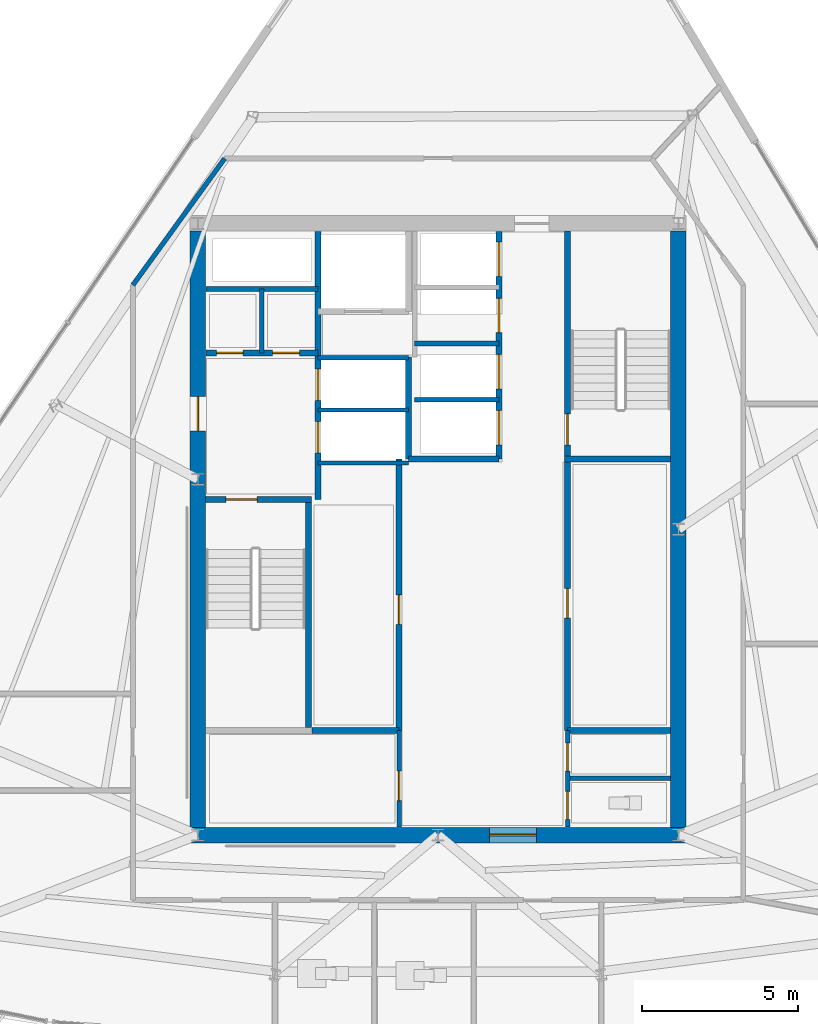
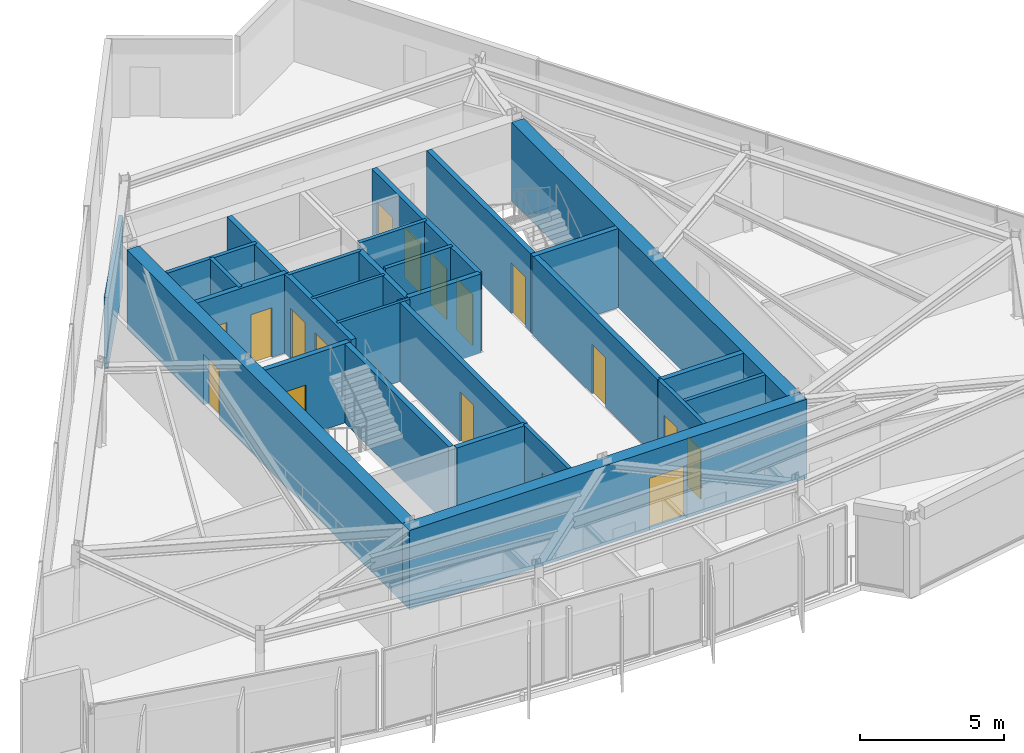
# One storey, part 7 of 13: 27 walls, 17 doors, 17 openings.
"""IFC4 building model written with IfcOpenShell, lengths in metres."""

from ifc_helpers import new_model, si_unit, direction, frame, frame_2d, origin, place, context, subcontext, project, spatial, rectangle, extrude, material, layer, layer_set, type_object, element, fill, save


model = new_model("IFC4")

# Units and contexts
model_context = context("Model", 3, precision=1e-05, world=origin(), true_north=direction((0.0, 1.0)))
body_context = subcontext(model_context, "Body", "Model", "MODEL_VIEW")
ifc_project = project(units=[si_unit("LENGTHUNIT", "METRE"), si_unit("AREAUNIT", "SQUARE_METRE"), si_unit("VOLUMEUNIT", "CUBIC_METRE"), si_unit("PLANEANGLEUNIT", "RADIAN"), si_unit("MASSUNIT", "GRAM", prefix="KILO")], contexts=[model_context])

# Site, building, storey
site_placement = place(None, origin())
site = spatial("IfcSite", under=ifc_project, at=site_placement, CompositionType="ELEMENT")
building_placement = place(site_placement, origin())
building = spatial("IfcBuilding", under=site, at=building_placement, Name="Savorim Split Tower", CompositionType="ELEMENT")
storey_placement = place(building_placement, frame((0.0, 0.0, 265.199951171875)))
storey = spatial("IfcBuildingStorey", under=building, at=storey_placement, Name="L70", CompositionType="ELEMENT", Elevation=265.199951171875)

# Wall, opening, door
ifc_material_1 = material(Name="Concrete C60/75", Category="concrete")
ifc_layer_1 = layer(ifc_material_1, 0.5)
ifc_layer_set_1 = layer_set([ifc_layer_1], Name="WAL-COR-SH500")
wall_type_1 = type_object("IfcWallType", Name="WAL-COR-SH500", PredefinedType="SHEAR", material=ifc_layer_set_1)
wall_1_placement = place(storey_placement, frame((-7.949951171875, -9.39990234375, 0.0), z_axis=(0.0, 0.0, 1.0), x_axis=(1.0, 0.0, 0.0)))
wall_1 = element("IfcWall", 1, at=wall_1_placement, inside=storey, type_object=wall_type_1, Name="L70 Offset Core South Shear Wall", PredefinedType="SHEAR", context=body_context, shape_type="SweptSolid", body=[
    extrude(rectangle(XDim=15.89990234375, YDim=0.5, at=frame_2d((7.949951171875, 0.0))), origin(), (0.0, 0.0, 1.0), 3.35009765625),
])
opening_1_placement = place(wall_1_placement, frame((9.60009765625, 0.0, 0.0)))
opening_1 = element("IfcOpeningElement", 2, at=opening_1_placement, cuts=wall_1, Name="Opening DI-02", PredefinedType="OPENING", context=body_context, shape_type="SweptSolid", body=[
    extrude(rectangle(XDim=1.5, YDim=2.199951171875, at=frame_2d((0.75, 1.10009765625))), frame((0.0, 0.260009765625, 0.0), z_axis=(0.0, -1.0, 0.0), x_axis=(1.0, 0.0, 0.0)), (0.0, 0.0, 1.0), 0.52001953125),
])
ifc_material_2 = material(Name="Timber Fire Door Leaf", Category="wood")
door_type_1 = type_object("IfcDoorType", Name="DOR-DBL-1500", OperationType="NOTDEFINED", PredefinedType="DOOR", material=ifc_material_2)
door_1_placement = place(opening_1_placement, origin())
door_1 = element("IfcDoor", 3, at=door_1_placement, inside=storey, type_object=door_type_1, Name="DOR-L70-COR-LLOB - L70 Lift Lobby Main Rated Door", OperationType="DOUBLE_DOOR_SINGLE_SWING", OverallHeight=2.199951171875, OverallWidth=1.5, PredefinedType="DOOR", context=body_context, shape_type="SweptSolid", body=[
    extrude(rectangle(XDim=1.5, YDim=2.199951171875, at=frame_2d((0.75, 1.10009765625))), frame((0.0, 0.02490234375, 0.0), z_axis=(0.0, -1.0, 0.0), x_axis=(1.0, 0.0, 0.0)), (0.0, 0.0, 1.0), 0.050048828125),
])
fill(opening_1, door_1)

wall_2_placement = place(storey_placement, frame((-7.699951171875, -9.14990234375, 0.0), z_axis=(0.0, 0.0, 1.0), x_axis=(0.0, 1.0, 0.0)))
wall_2 = element("IfcWall", 4, at=wall_2_placement, inside=storey, type_object=wall_type_1, Name="L70 Offset Core West Shear Wall", PredefinedType="SHEAR", context=body_context, shape_type="SweptSolid", body=[
    extrude(rectangle(XDim=19.099853515625, YDim=0.5, at=frame_2d((9.5498046875, 0.0))), origin(), (0.0, 0.0, 1.0), 3.35009765625),
])
opening_2_placement = place(wall_2_placement, frame((12.699951171875, 0.0, 0.0)))
opening_2 = element("IfcOpeningElement", 5, at=opening_2_placement, cuts=wall_2, Name="Opening DI-03", PredefinedType="OPENING", context=body_context, shape_type="SweptSolid", body=[
    extrude(rectangle(XDim=1.10009765625, YDim=2.14990234375, at=frame_2d((0.550048828125, 1.074951171875))), frame((0.0, 0.260009765625, 0.0), z_axis=(0.0, -1.0, 0.0), x_axis=(1.0, 0.0, 0.0)), (0.0, 0.0, 1.0), 0.52001953125),
])
door_type_2 = type_object("IfcDoorType", Name="DOR-FIR-1100", OperationType="NOTDEFINED", PredefinedType="DOOR", material=ifc_material_2)
door_2_placement = place(opening_2_placement, origin())
door_2 = element("IfcDoor", 6, at=door_2_placement, inside=storey, type_object=door_type_2, Name="DOR-L70-COR-FFLOB - L70 Firefighting Lobby Corridor Door", OperationType="SINGLE_SWING_RIGHT", OverallHeight=2.14990234375, OverallWidth=1.10009765625, PredefinedType="DOOR", context=body_context, shape_type="SweptSolid", body=[
    extrude(rectangle(XDim=1.10009765625, YDim=2.14990234375, at=frame_2d((0.550048828125, 1.074951171875))), frame((0.0, 0.02490234375, 0.0), z_axis=(0.0, -1.0, 0.0), x_axis=(1.0, 0.0, 0.0)), (0.0, 0.0, 1.0), 0.050048828125),
])
fill(opening_2, door_2)

# Wall
wall_3_placement = place(storey_placement, frame((7.699951171875, 9.949951171875, 0.0), z_axis=(0.0, 0.0, 1.0), x_axis=(0.0, -1.0, 0.0)))
element("IfcWall", 7, at=wall_3_placement, inside=storey, type_object=wall_type_1, Name="L70 Offset Core East Shear Wall", PredefinedType="SHEAR", context=body_context, shape_type="SweptSolid", body=[
    extrude(rectangle(XDim=19.099853515625, YDim=0.5, at=frame_2d((9.5498046875, 0.0))), origin(), (0.0, 0.0, 1.0), 3.35009765625),
])

# Wall, opening, door
ifc_material_3 = material(Name="Concrete C50/60", Category="concrete")
ifc_layer_2 = layer(ifc_material_3, 0.199951171875)
ifc_layer_set_2 = layer_set([ifc_layer_2], Name="WAL-INT-RC200")
wall_type_2 = type_object("IfcWallType", Name="WAL-INT-RC200", PredefinedType="SOLIDWALL", material=ifc_layer_set_2)
wall_4_placement = place(storey_placement, frame((-7.449951171875, 1.35009765625, 0.0), z_axis=(0.0, 0.0, 1.0), x_axis=(1.0, 0.0, 0.0)))
wall_4 = element("IfcWall", 8, at=wall_4_placement, inside=storey, type_object=wall_type_2, Name="L70 Structural Shaft Wall W-L70-CR01", PredefinedType="SOLIDWALL", context=body_context, shape_type="SweptSolid", body=[
    extrude(rectangle(XDim=3.39990234375, YDim=0.199951171875, at=frame_2d((1.699951171875, 0.0))), origin(), (0.0, 0.0, 1.0), 3.35009765625),
])
opening_3_placement = place(wall_4_placement, frame((0.64990234375, 0.0, 0.0)))
opening_3 = element("IfcOpeningElement", 9, at=opening_3_placement, cuts=wall_4, Name="Opening DI-04", PredefinedType="OPENING", context=body_context, shape_type="SweptSolid", body=[
    extrude(rectangle(XDim=1.0, YDim=2.14990234375, at=frame_2d((0.5, 1.074951171875))), frame((0.0, 0.10986328125, 0.0), z_axis=(0.0, -1.0, 0.0), x_axis=(1.0, 0.0, 0.0)), (0.0, 0.0, 1.0), 0.219970703125),
])
door_type_3 = type_object("IfcDoorType", Name="DOR-FIR-1000", OperationType="NOTDEFINED", PredefinedType="DOOR", material=ifc_material_2)
door_3_placement = place(opening_3_placement, origin())
door_3 = element("IfcDoor", 10, at=door_3_placement, inside=storey, type_object=door_type_3, Name="DR-L70-ST1 - L70 Stair ST-1 Enclosure Door", OperationType="SINGLE_SWING_LEFT", OverallHeight=2.14990234375, OverallWidth=1.0, PredefinedType="DOOR", context=body_context, shape_type="SweptSolid", body=[
    extrude(rectangle(XDim=1.0, YDim=2.14990234375, at=frame_2d((0.5, 1.074951171875))), frame((0.0, 0.02490234375, 0.0), z_axis=(0.0, -1.0, 0.0), x_axis=(1.0, 0.0, 0.0)), (0.0, 0.0, 1.0), 0.050048828125),
])
fill(opening_3, door_3)

# Wall
wall_5_placement = place(storey_placement, frame((-4.14990234375, -5.949951171875, 0.0), z_axis=(0.0, 0.0, 1.0), x_axis=(0.0, 1.0, 0.0)))
element("IfcWall", 11, at=wall_5_placement, inside=storey, type_object=wall_type_2, Name="L70 Structural Shaft Wall W-L70-CR02", PredefinedType="SOLIDWALL", context=body_context, shape_type="SweptSolid", body=[
    extrude(rectangle(XDim=7.199951171875, YDim=0.199951171875, at=frame_2d((3.60009765625, 0.0))), origin(), (0.0, 0.0, 1.0), 3.35009765625),
])

# Wall, openings, doors
wall_6_placement = place(storey_placement, frame((-3.85009765625, 1.35009765625, 0.0), z_axis=(0.0, 0.0, 1.0), x_axis=(0.0, 1.0, 0.0)))
wall_6 = element("IfcWall", 12, at=wall_6_placement, inside=storey, type_object=wall_type_2, Name="L70 Partition W-L70-CR03", PredefinedType="SOLIDWALL", context=body_context, shape_type="SweptSolid", body=[
    extrude(rectangle(XDim=8.594970703125, YDim=0.199951171875, at=frame_2d((4.29736328125, 0.0))), origin(), (0.0, 0.0, 1.0), 3.35009765625),
])
opening_4_placement = place(wall_6_placement, frame((1.5, 0.0, 0.0)))
opening_4 = element("IfcOpeningElement", 13, at=opening_4_placement, cuts=wall_6, Name="Opening LD-FFL", PredefinedType="OPENING", context=body_context, shape_type="SweptSolid", body=[
    extrude(rectangle(XDim=1.0, YDim=2.14990234375, at=frame_2d((0.5, 1.074951171875))), frame((0.0, 0.10986328125, 0.0), z_axis=(0.0, -1.0, 0.0), x_axis=(1.0, 0.0, 0.0)), (0.0, 0.0, 1.0), 0.219970703125),
])
opening_5_placement = place(wall_6_placement, frame((3.179931640625, 0.0, 0.0)))
opening_5 = element("IfcOpeningElement", 14, at=opening_5_placement, cuts=wall_6, Name="Opening LD-FFL", PredefinedType="OPENING", context=body_context, shape_type="SweptSolid", body=[
    extrude(rectangle(XDim=1.0, YDim=2.14990234375, at=frame_2d((0.5, 1.074951171875))), frame((0.0, 0.10986328125, 0.0), z_axis=(0.0, -1.0, 0.0), x_axis=(1.0, 0.0, 0.0)), (0.0, 0.0, 1.0), 0.219970703125),
])
ifc_material_4 = material(Name="Charcoal Anodised Aluminium", Category="aluminium")
door_type_4 = type_object("IfcDoorType", Name="DOR-SLD-LD1000", OperationType="NOTDEFINED", PredefinedType="DOOR", material=ifc_material_4)
door_4_placement = place(opening_4_placement, origin())
door_4 = element("IfcDoor", 15, at=door_4_placement, inside=storey, type_object=door_type_4, Name="DR-L70-LD-FFL1 - L70 Firefighting Lift FFL-1 Sliding Landing Door", OperationType="DOUBLE_DOOR_SLIDING", OverallHeight=2.14990234375, OverallWidth=1.0, PredefinedType="DOOR", context=body_context, shape_type="SweptSolid", body=[
    extrude(rectangle(XDim=1.0, YDim=2.14990234375, at=frame_2d((0.5, 1.074951171875))), frame((0.0, 0.02490234375, 0.0), z_axis=(0.0, -1.0, 0.0), x_axis=(1.0, 0.0, 0.0)), (0.0, 0.0, 1.0), 0.050048828125),
])
fill(opening_4, door_4)
door_5_placement = place(opening_5_placement, origin())
door_5 = element("IfcDoor", 16, at=door_5_placement, inside=storey, type_object=door_type_4, Name="DR-L70-LD-FFL2 - L70 Firefighting Lift FFL-2 Sliding Landing Door", OperationType="DOUBLE_DOOR_SLIDING", OverallHeight=2.14990234375, OverallWidth=1.0, PredefinedType="DOOR", context=body_context, shape_type="SweptSolid", body=[
    extrude(rectangle(XDim=1.0, YDim=2.14990234375, at=frame_2d((0.5, 1.074951171875))), frame((0.0, 0.02490234375, 0.0), z_axis=(0.0, -1.0, 0.0), x_axis=(1.0, 0.0, 0.0)), (0.0, 0.0, 1.0), 0.050048828125),
])
fill(opening_5, door_5)

wall_7_placement = place(storey_placement, frame((-7.445068359375, 6.050048828125, 0.0), z_axis=(0.0, 0.0, 1.0), x_axis=(1.0, 0.0, 0.0)))
wall_7 = element("IfcWall", 17, at=wall_7_placement, inside=storey, type_object=wall_type_2, Name="L70 Partition W-L70-CR04", PredefinedType="SOLIDWALL", context=body_context, shape_type="SweptSolid", body=[
    extrude(rectangle(XDim=3.594970703125, YDim=0.199951171875, at=frame_2d((1.79736328125, 0.0))), origin(), (0.0, 0.0, 1.0), 3.35009765625),
])
opening_6_placement = place(wall_7_placement, frame((0.344970703125, 0.0, 0.0)))
opening_6 = element("IfcOpeningElement", 18, at=opening_6_placement, cuts=wall_7, Name="Opening DI-12", PredefinedType="OPENING", context=body_context, shape_type="SweptSolid", body=[
    extrude(rectangle(XDim=0.85009765625, YDim=2.10009765625, at=frame_2d((0.425048828125, 1.050048828125))), frame((0.0, 0.10986328125, 0.0), z_axis=(0.0, -1.0, 0.0), x_axis=(1.0, 0.0, 0.0)), (0.0, 0.0, 1.0), 0.219970703125),
])
opening_7_placement = place(wall_7_placement, frame((2.14501953125, 0.0, 0.0)))
opening_7 = element("IfcOpeningElement", 19, at=opening_7_placement, cuts=wall_7, Name="Opening DI-12", PredefinedType="OPENING", context=body_context, shape_type="SweptSolid", body=[
    extrude(rectangle(XDim=0.85009765625, YDim=2.10009765625, at=frame_2d((0.425048828125, 1.050048828125))), frame((0.0, 0.10986328125, 0.0), z_axis=(0.0, -1.0, 0.0), x_axis=(1.0, 0.0, 0.0)), (0.0, 0.0, 1.0), 0.219970703125),
])
ifc_material_5 = material(Name="Galvanised Painted Steel Balustrade", Category="steel")
door_type_5 = type_object("IfcDoorType", Name="DOR-RIS-850", OperationType="NOTDEFINED", PredefinedType="DOOR", material=ifc_material_5)
door_6_placement = place(opening_6_placement, origin())
door_6 = element("IfcDoor", 20, at=door_6_placement, inside=storey, type_object=door_type_5, Name="DR-L70-ELR - L70 Electrical Riser Access Door", OperationType="SINGLE_SWING_RIGHT", OverallHeight=2.10009765625, OverallWidth=0.85009765625, PredefinedType="DOOR", context=body_context, shape_type="SweptSolid", body=[
    extrude(rectangle(XDim=0.85009765625, YDim=2.10009765625, at=frame_2d((0.425048828125, 1.050048828125))), frame((0.0, 0.02490234375, 0.0), z_axis=(0.0, -1.0, 0.0), x_axis=(1.0, 0.0, 0.0)), (0.0, 0.0, 1.0), 0.050048828125),
])
fill(opening_6, door_6)
door_7_placement = place(opening_7_placement, origin())
door_7 = element("IfcDoor", 21, at=door_7_placement, inside=storey, type_object=door_type_5, Name="DR-L70-TLR - L70 Telecom Riser Access Door", OperationType="SINGLE_SWING_LEFT", OverallHeight=2.10009765625, OverallWidth=0.85009765625, PredefinedType="DOOR", context=body_context, shape_type="SweptSolid", body=[
    extrude(rectangle(XDim=0.85009765625, YDim=2.10009765625, at=frame_2d((0.425048828125, 1.050048828125))), frame((0.0, 0.02490234375, 0.0), z_axis=(0.0, -1.0, 0.0), x_axis=(1.0, 0.0, 0.0)), (0.0, 0.0, 1.0), 0.050048828125),
])
fill(opening_7, door_7)

# Wall, opening, door
wall_8_placement = place(storey_placement, frame((4.14990234375, 2.75, 0.0), z_axis=(0.0, 0.0, 1.0), x_axis=(0.0, 1.0, 0.0)))
wall_8 = element("IfcWall", 22, at=wall_8_placement, inside=storey, type_object=wall_type_2, Name="L70 Structural Shaft Wall W-L70-CR07", PredefinedType="SOLIDWALL", context=body_context, shape_type="SweptSolid", body=[
    extrude(rectangle(XDim=7.199951171875, YDim=0.199951171875, at=frame_2d((3.60009765625, 0.0))), origin(), (0.0, 0.0, 1.0), 3.35009765625),
])
opening_8_placement = place(wall_8_placement, frame((0.35009765625, 0.0, 0.0)))
opening_8 = element("IfcOpeningElement", 23, at=opening_8_placement, cuts=wall_8, Name="Opening DI-04", PredefinedType="OPENING", context=body_context, shape_type="SweptSolid", body=[
    extrude(rectangle(XDim=1.0, YDim=2.14990234375, at=frame_2d((0.5, 1.074951171875))), frame((0.0, 0.10986328125, 0.0), z_axis=(0.0, -1.0, 0.0), x_axis=(1.0, 0.0, 0.0)), (0.0, 0.0, 1.0), 0.219970703125),
])
door_8_placement = place(opening_8_placement, origin())
door_8 = element("IfcDoor", 24, at=door_8_placement, inside=storey, type_object=door_type_3, Name="DR-L70-ST2 - L70 Stair ST-2 Enclosure Door", OperationType="SINGLE_SWING_RIGHT", OverallHeight=2.14990234375, OverallWidth=1.0, PredefinedType="DOOR", context=body_context, shape_type="SweptSolid", body=[
    extrude(rectangle(XDim=1.0, YDim=2.14990234375, at=frame_2d((0.5, 1.074951171875))), frame((0.0, 0.02490234375, 0.0), z_axis=(0.0, -1.0, 0.0), x_axis=(1.0, 0.0, 0.0)), (0.0, 0.0, 1.0), 0.050048828125),
])
fill(opening_8, door_8)

# Walls
wall_9_placement = place(storey_placement, frame((4.050048828125, 2.64990234375, 0.0), z_axis=(0.0, 0.0, 1.0), x_axis=(1.0, 0.0, 0.0)))
element("IfcWall", 25, at=wall_9_placement, inside=storey, type_object=wall_type_2, Name="L70 Structural Shaft Wall W-L70-CR08", PredefinedType="SOLIDWALL", context=body_context, shape_type="SweptSolid", body=[
    extrude(rectangle(XDim=3.39990234375, YDim=0.199951171875, at=frame_2d((1.699951171875, 0.0))), origin(), (0.0, 0.0, 1.0), 3.35009765625),
])
wall_10_placement = place(storey_placement, frame((-0.949951171875, 2.64990234375, 0.0), z_axis=(0.0, 0.0, 1.0), x_axis=(0.0, 1.0, 0.0)))
element("IfcWall", 26, at=wall_10_placement, inside=storey, type_object=wall_type_2, Name="L70 Partition W-L70-FFLW", PredefinedType="SOLIDWALL", context=body_context, shape_type="SweptSolid", body=[
    extrude(rectangle(XDim=3.27001953125, YDim=0.199951171875, at=frame_2d((1.635009765625, 0.0))), origin(), (0.0, 0.0, 1.0), 3.35009765625),
])

# Wall, opening, door
wall_11_placement = place(storey_placement, frame((4.14990234375, -6.050048828125, 0.0), z_axis=(0.0, 0.0, 1.0), x_axis=(0.0, 1.0, 0.0)))
wall_11 = element("IfcWall", 27, at=wall_11_placement, inside=storey, type_object=wall_type_2, Name="L70 Partition W-L70-B1FRONT", PredefinedType="SOLIDWALL", context=body_context, shape_type="SweptSolid", body=[
    extrude(rectangle(XDim=8.699951171875, YDim=0.199951171875, at=frame_2d((4.35009765625, 0.0))), origin(), (0.0, 0.0, 1.0), 3.35009765625),
])
opening_9_placement = place(wall_11_placement, frame((3.60009765625, 0.0, 0.0)))
opening_9 = element("IfcOpeningElement", 28, at=opening_9_placement, cuts=wall_11, Name="Opening DI-05", PredefinedType="OPENING", context=body_context, shape_type="SweptSolid", body=[
    extrude(rectangle(XDim=0.949951171875, YDim=2.10009765625, at=frame_2d((0.47509765625, 1.050048828125))), frame((0.0, 0.10986328125, 0.0), z_axis=(0.0, -1.0, 0.0), x_axis=(1.0, 0.0, 0.0)), (0.0, 0.0, 1.0), 0.219970703125),
])
door_type_6 = type_object("IfcDoorType", Name="DOR-FIR-950", OperationType="NOTDEFINED", PredefinedType="DOOR", material=ifc_material_2)
door_9_placement = place(opening_9_placement, origin())
door_9 = element("IfcDoor", 29, at=door_9_placement, inside=storey, type_object=door_type_6, Name="DR-L70-LV7B1 - L70 Shared Pantry and Linen Room Door", OperationType="SINGLE_SWING_RIGHT", OverallHeight=2.10009765625, OverallWidth=0.949951171875, PredefinedType="DOOR", context=body_context, shape_type="SweptSolid", body=[
    extrude(rectangle(XDim=0.949951171875, YDim=2.10009765625, at=frame_2d((0.47509765625, 1.050048828125))), frame((0.0, 0.02490234375, 0.0), z_axis=(0.0, -1.0, 0.0), x_axis=(1.0, 0.0, 0.0)), (0.0, 0.0, 1.0), 0.050048828125),
])
fill(opening_9, door_9)

wall_12_placement = place(storey_placement, frame((-1.25, -6.050048828125, 0.0), z_axis=(0.0, 0.0, 1.0), x_axis=(0.0, 1.0, 0.0)))
wall_12 = element("IfcWall", 30, at=wall_12_placement, inside=storey, type_object=wall_type_2, Name="L70 Partition W-L70-B2FRONT", PredefinedType="SOLIDWALL", context=body_context, shape_type="SweptSolid", body=[
    extrude(rectangle(XDim=8.699951171875, YDim=0.199951171875, at=frame_2d((4.35009765625, 0.0))), origin(), (0.0, 0.0, 1.0), 3.35009765625),
])
opening_10_placement = place(wall_12_placement, frame((3.39990234375, 0.0, 0.0)))
opening_10 = element("IfcOpeningElement", 31, at=opening_10_placement, cuts=wall_12, Name="Opening DI-05", PredefinedType="OPENING", context=body_context, shape_type="SweptSolid", body=[
    extrude(rectangle(XDim=0.949951171875, YDim=2.10009765625, at=frame_2d((0.47509765625, 1.050048828125))), frame((0.0, 0.10986328125, 0.0), z_axis=(0.0, -1.0, 0.0), x_axis=(1.0, 0.0, 0.0)), (0.0, 0.0, 1.0), 0.219970703125),
])
door_10_placement = place(opening_10_placement, origin())
door_10 = element("IfcDoor", 32, at=door_10_placement, inside=storey, type_object=door_type_6, Name="DR-L70-LV7B2 - L70 Housekeeping and Parcel Room Door", OperationType="SINGLE_SWING_LEFT", OverallHeight=2.10009765625, OverallWidth=0.949951171875, PredefinedType="DOOR", context=body_context, shape_type="SweptSolid", body=[
    extrude(rectangle(XDim=0.949951171875, YDim=2.10009765625, at=frame_2d((0.47509765625, 1.050048828125))), frame((0.0, 0.02490234375, 0.0), z_axis=(0.0, -1.0, 0.0), x_axis=(1.0, 0.0, 0.0)), (0.0, 0.0, 1.0), 0.050048828125),
])
fill(opening_10, door_10)

# Wall, openings, doors
wall_13_placement = place(storey_placement, frame((1.949951171875, 2.64990234375, 0.0), z_axis=(0.0, 0.0, 1.0), x_axis=(0.0, 1.0, 0.0)))
wall_13 = element("IfcWall", 33, at=wall_13_placement, inside=storey, type_object=wall_type_2, Name="L70 Partition W-L70-B3FRONT", PredefinedType="SOLIDWALL", context=body_context, shape_type="SweptSolid", body=[
    extrude(rectangle(XDim=7.295166015625, YDim=0.199951171875, at=frame_2d((3.6474609375, 0.0))), origin(), (0.0, 0.0, 1.0), 3.35009765625),
])
opening_11_placement = place(wall_13_placement, frame((0.449951171875, 0.0, 0.0)))
opening_11 = element("IfcOpeningElement", 34, at=opening_11_placement, cuts=wall_13, Name="Opening LD-03", PredefinedType="OPENING", context=body_context, shape_type="SweptSolid", body=[
    extrude(rectangle(XDim=1.10009765625, YDim=2.14990234375, at=frame_2d((0.550048828125, 1.074951171875))), frame((0.0, 0.10986328125, 0.0), z_axis=(0.0, -1.0, 0.0), x_axis=(1.0, 0.0, 0.0)), (0.0, 0.0, 1.0), 0.219970703125),
])
opening_12_placement = place(wall_13_placement, frame((2.25, 0.0, 0.0)))
opening_12 = element("IfcOpeningElement", 35, at=opening_12_placement, cuts=wall_13, Name="Opening LD-03", PredefinedType="OPENING", context=body_context, shape_type="SweptSolid", body=[
    extrude(rectangle(XDim=1.10009765625, YDim=2.14990234375, at=frame_2d((0.550048828125, 1.074951171875))), frame((0.0, 0.10986328125, 0.0), z_axis=(0.0, -1.0, 0.0), x_axis=(1.0, 0.0, 0.0)), (0.0, 0.0, 1.0), 0.219970703125),
])
opening_13_placement = place(wall_13_placement, frame((4.050048828125, 0.0, 0.0)))
opening_13 = element("IfcOpeningElement", 36, at=opening_13_placement, cuts=wall_13, Name="Opening LD-03", PredefinedType="OPENING", context=body_context, shape_type="SweptSolid", body=[
    extrude(rectangle(XDim=1.10009765625, YDim=2.14990234375, at=frame_2d((0.550048828125, 1.074951171875))), frame((0.0, 0.10986328125, 0.0), z_axis=(0.0, -1.0, 0.0), x_axis=(1.0, 0.0, 0.0)), (0.0, 0.0, 1.0), 0.219970703125),
])
opening_14_placement = place(wall_13_placement, frame((5.85009765625, 0.0, 0.0)))
opening_14 = element("IfcOpeningElement", 37, at=opening_14_placement, cuts=wall_13, Name="Opening LD-03", PredefinedType="OPENING", context=body_context, shape_type="SweptSolid", body=[
    extrude(rectangle(XDim=1.10009765625, YDim=2.14990234375, at=frame_2d((0.550048828125, 1.074951171875))), frame((0.0, 0.10986328125, 0.0), z_axis=(0.0, -1.0, 0.0), x_axis=(1.0, 0.0, 0.0)), (0.0, 0.0, 1.0), 0.219970703125),
])
door_type_7 = type_object("IfcDoorType", Name="DOR-SLD-LDH1100", OperationType="NOTDEFINED", PredefinedType="DOOR", material=ifc_material_4)
door_11_placement = place(opening_11_placement, origin())
door_11 = element("IfcDoor", 38, at=door_11_placement, inside=storey, type_object=door_type_7, Name="DR-L70-LD-PLH1 - L70 Lift PL-H1 Sliding Landing Door", OperationType="DOUBLE_DOOR_SLIDING", OverallHeight=2.14990234375, OverallWidth=1.10009765625, PredefinedType="DOOR", context=body_context, shape_type="SweptSolid", body=[
    extrude(rectangle(XDim=1.10009765625, YDim=2.14990234375, at=frame_2d((0.550048828125, 1.074951171875))), frame((0.0, 0.02490234375, 0.0), z_axis=(0.0, -1.0, 0.0), x_axis=(1.0, 0.0, 0.0)), (0.0, 0.0, 1.0), 0.050048828125),
])
fill(opening_11, door_11)
door_12_placement = place(opening_12_placement, origin())
door_12 = element("IfcDoor", 39, at=door_12_placement, inside=storey, type_object=door_type_7, Name="DR-L70-LD-PLH2 - L70 Lift PL-H2 Sliding Landing Door", OperationType="DOUBLE_DOOR_SLIDING", OverallHeight=2.14990234375, OverallWidth=1.10009765625, PredefinedType="DOOR", context=body_context, shape_type="SweptSolid", body=[
    extrude(rectangle(XDim=1.10009765625, YDim=2.14990234375, at=frame_2d((0.550048828125, 1.074951171875))), frame((0.0, 0.02490234375, 0.0), z_axis=(0.0, -1.0, 0.0), x_axis=(1.0, 0.0, 0.0)), (0.0, 0.0, 1.0), 0.050048828125),
])
fill(opening_12, door_12)
door_13_placement = place(opening_13_placement, origin())
door_13 = element("IfcDoor", 40, at=door_13_placement, inside=storey, type_object=door_type_7, Name="DR-L70-LD-PLH3 - L70 Lift PL-H3 Sliding Landing Door", OperationType="DOUBLE_DOOR_SLIDING", OverallHeight=2.14990234375, OverallWidth=1.10009765625, PredefinedType="DOOR", context=body_context, shape_type="SweptSolid", body=[
    extrude(rectangle(XDim=1.10009765625, YDim=2.14990234375, at=frame_2d((0.550048828125, 1.074951171875))), frame((0.0, 0.02490234375, 0.0), z_axis=(0.0, -1.0, 0.0), x_axis=(1.0, 0.0, 0.0)), (0.0, 0.0, 1.0), 0.050048828125),
])
fill(opening_13, door_13)
door_14_placement = place(opening_14_placement, origin())
door_14 = element("IfcDoor", 41, at=door_14_placement, inside=storey, type_object=door_type_7, Name="DR-L70-LD-PLH4 - L70 Lift PL-H4 Sliding Landing Door", OperationType="DOUBLE_DOOR_SLIDING", OverallHeight=2.14990234375, OverallWidth=1.10009765625, PredefinedType="DOOR", context=body_context, shape_type="SweptSolid", body=[
    extrude(rectangle(XDim=1.10009765625, YDim=2.14990234375, at=frame_2d((0.550048828125, 1.074951171875))), frame((0.0, 0.02490234375, 0.0), z_axis=(0.0, -1.0, 0.0), x_axis=(1.0, 0.0, 0.0)), (0.0, 0.0, 1.0), 0.050048828125),
])
fill(opening_14, door_14)

# Walls
wall_14_placement = place(storey_placement, frame((-0.949951171875, 2.64990234375, 0.0), z_axis=(0.0, 0.0, 1.0), x_axis=(1.0, 0.0, 0.0)))
element("IfcWall", 42, at=wall_14_placement, inside=storey, type_object=wall_type_2, Name="L70 Partition W-L70-B3SOUTH", PredefinedType="SOLIDWALL", context=body_context, shape_type="SweptSolid", body=[
    extrude(rectangle(XDim=2.89990234375, YDim=0.199951171875, at=frame_2d((1.449951171875, 0.0))), origin(), (0.0, 0.0, 1.0), 3.35009765625),
])
wall_15_placement = place(storey_placement, frame((-4.0400390625, -6.050048828125, 0.0), z_axis=(0.0, 0.0, 1.0), x_axis=(1.0, 0.0, 0.0)))
element("IfcWall", 43, at=wall_15_placement, inside=storey, type_object=wall_type_2, Name="L70 Partition W-L70-KSEP-W2", PredefinedType="SOLIDWALL", context=body_context, shape_type="SweptSolid", body=[
    extrude(rectangle(XDim=2.7900390625, YDim=0.199951171875, at=frame_2d((1.39501953125, 0.0))), origin(), (0.0, 0.0, 1.0), 3.35009765625),
])
wall_16_placement = place(storey_placement, frame((4.14990234375, -6.050048828125, 0.0), z_axis=(0.0, 0.0, 1.0), x_axis=(1.0, 0.0, 0.0)))
element("IfcWall", 44, at=wall_16_placement, inside=storey, type_object=wall_type_2, Name="L70 Partition W-L70-KSEP-E", PredefinedType="SOLIDWALL", context=body_context, shape_type="SweptSolid", body=[
    extrude(rectangle(XDim=3.295166015625, YDim=0.199951171875, at=frame_2d((1.6474609375, 0.0))), origin(), (0.0, 0.0, 1.0), 3.35009765625),
])
ifc_material_6 = material(Name="Acoustic Gypsum Partition Board")
ifc_layer_3 = layer(ifc_material_6, 0.1201171875)
ifc_layer_set_3 = layer_set([ifc_layer_3], Name="WAL-PAR-120")
wall_type_3 = type_object("IfcWallType", Name="WAL-PAR-120", PredefinedType="PARTITIONING", material=ifc_layer_set_3)
for number, where, z_axis, x_axis, name in (
    (45, (-3.85009765625, 2.52001953125, 0.0), (0.0, 0.0, 1.0), (1.0, 0.0, 0.0), "L70 Partition W-L70-FFLD0"),
    (46, (-3.85009765625, 4.219970703125, 0.0), (0.0, 0.0, 1.0), (1.0, 0.0, 0.0), "L70 Partition W-L70-FFLD1"),
):
    element("IfcWall", number, at=place(storey_placement, frame(where, z_axis=z_axis, x_axis=x_axis)), inside=storey, type_object=wall_type_3, Name=name, PredefinedType="PARTITIONING", context=body_context, shape_type="SweptSolid", body=[
        extrude(rectangle(XDim=2.900146484375, YDim=0.1201171875, at=frame_2d((1.4501953125, 0.0))), origin(), (0.0, 0.0, 1.0), 3.35009765625),
    ])
ifc_layer_4 = layer(ifc_material_6, 0.14990234375)
ifc_layer_set_4 = layer_set([ifc_layer_4], Name="WAL-PAR-150")
wall_type_4 = type_object("IfcWallType", Name="WAL-PAR-150", PredefinedType="PARTITIONING", material=ifc_layer_set_4)
wall_17_placement = place(storey_placement, frame((-7.445068359375, 8.10009765625, 0.0), z_axis=(0.0, 0.0, 1.0), x_axis=(1.0, 0.0, 0.0)))
element("IfcWall", 47, at=wall_17_placement, inside=storey, type_object=wall_type_4, Name="L70 Partition W-L70-CR05", PredefinedType="PARTITIONING", context=body_context, shape_type="SweptSolid", body=[
    extrude(rectangle(XDim=3.594970703125, YDim=0.14990234375, at=frame_2d((1.79736328125, 0.0))), origin(), (0.0, 0.0, 1.0), 3.35009765625),
])
wall_18_placement = place(storey_placement, frame((-5.64990234375, 6.050048828125, 0.0), z_axis=(0.0, 0.0, 1.0), x_axis=(0.0, 1.0, 0.0)))
element("IfcWall", 48, at=wall_18_placement, inside=storey, type_object=wall_type_4, Name="L70 Partition W-L70-CR06", PredefinedType="PARTITIONING", context=body_context, shape_type="SweptSolid", body=[
    extrude(rectangle(XDim=2.050048828125, YDim=0.14990234375, at=frame_2d((1.02490234375, 0.0))), origin(), (0.0, 0.0, 1.0), 3.35009765625),
])
wall_19_placement = place(storey_placement, frame((-3.85009765625, 5.89990234375, 0.0), z_axis=(0.0, 0.0, 1.0), x_axis=(1.0, 0.0, 0.0)))
element("IfcWall", 49, at=wall_19_placement, inside=storey, type_object=wall_type_4, Name="L70 Partition W-L70-FFLD2", PredefinedType="PARTITIONING", context=body_context, shape_type="SweptSolid", body=[
    extrude(rectangle(XDim=2.900146484375, YDim=0.14990234375, at=frame_2d((1.4501953125, 0.0))), origin(), (0.0, 0.0, 1.0), 3.35009765625),
])
for number, where, z_axis, x_axis, name in (
    (50, (-0.75, 4.550048828125, 0.0), (0.0, 0.0, 1.0), (1.0, 0.0, 0.0), "L70 Partition W-L70-B3DIV1"),
    (51, (-0.75, 6.35009765625, 0.0), (0.0, 0.0, 1.0), (1.0, 0.0, 0.0), "L70 Partition W-L70-B3DIV2"),
):
    element("IfcWall", number, at=place(storey_placement, frame(where, z_axis=z_axis, x_axis=x_axis)), inside=storey, type_object=wall_type_4, Name=name, PredefinedType="PARTITIONING", context=body_context, shape_type="SweptSolid", body=[
        extrude(rectangle(XDim=2.699951171875, YDim=0.14990234375, at=frame_2d((1.35009765625, 0.0))), origin(), (0.0, 0.0, 1.0), 3.35009765625),
    ])

# Wall, opening, door
wall_20_placement = place(storey_placement, frame((-1.25, -9.14501953125, 0.0), z_axis=(0.0, 0.0, 1.0), x_axis=(0.0, 1.0, 0.0)))
wall_20 = element("IfcWall", 52, at=wall_20_placement, inside=storey, type_object=wall_type_4, Name="L70 Partition W-L70-KLOB-W", PredefinedType="PARTITIONING", context=body_context, shape_type="SweptSolid", body=[
    extrude(rectangle(XDim=3.094970703125, YDim=0.14990234375, at=frame_2d((1.54736328125, 0.0))), origin(), (0.0, 0.0, 1.0), 3.35009765625),
])
opening_15_placement = place(wall_20_placement, frame((0.844970703125, 0.0, 0.0)))
opening_15 = element("IfcOpeningElement", 53, at=opening_15_placement, cuts=wall_20, Name="Opening DI-05", PredefinedType="OPENING", context=body_context, shape_type="SweptSolid", body=[
    extrude(rectangle(XDim=0.949951171875, YDim=2.10009765625, at=frame_2d((0.47509765625, 1.050048828125))), frame((0.0, 0.0849609375, 0.0), z_axis=(0.0, -1.0, 0.0), x_axis=(1.0, 0.0, 0.0)), (0.0, 0.0, 1.0), 0.169921875),
])
door_15_placement = place(opening_15_placement, origin())
door_15 = element("IfcDoor", 54, at=door_15_placement, inside=storey, type_object=door_type_6, Name="DR-L70-K3LIN - L70 Housekeeping Store Door", OperationType="SINGLE_SWING_LEFT", OverallHeight=2.10009765625, OverallWidth=0.949951171875, PredefinedType="DOOR", context=body_context, shape_type="SweptSolid", body=[
    extrude(rectangle(XDim=0.949951171875, YDim=2.10009765625, at=frame_2d((0.47509765625, 1.050048828125))), frame((0.0, 0.02490234375, 0.0), z_axis=(0.0, -1.0, 0.0), x_axis=(1.0, 0.0, 0.0)), (0.0, 0.0, 1.0), 0.050048828125),
])
fill(opening_15, door_15)

# Wall, openings, doors
wall_21_placement = place(storey_placement, frame((4.14990234375, -9.14501953125, 0.0), z_axis=(0.0, 0.0, 1.0), x_axis=(0.0, 1.0, 0.0)))
wall_21 = element("IfcWall", 55, at=wall_21_placement, inside=storey, type_object=wall_type_4, Name="L70 Partition W-L70-KLOB-E", PredefinedType="PARTITIONING", context=body_context, shape_type="SweptSolid", body=[
    extrude(rectangle(XDim=3.094970703125, YDim=0.14990234375, at=frame_2d((1.54736328125, 0.0))), origin(), (0.0, 0.0, 1.0), 3.35009765625),
])
opening_16_placement = place(wall_21_placement, frame((0.2451171875, 0.0, 0.0)))
opening_16 = element("IfcOpeningElement", 56, at=opening_16_placement, cuts=wall_21, Name="Opening DI-11", PredefinedType="OPENING", context=body_context, shape_type="SweptSolid", body=[
    extrude(rectangle(XDim=0.89990234375, YDim=2.10009765625, at=frame_2d((0.449951171875, 1.050048828125))), frame((0.0, 0.0849609375, 0.0), z_axis=(0.0, -1.0, 0.0), x_axis=(1.0, 0.0, 0.0)), (0.0, 0.0, 1.0), 0.169921875),
])
opening_17_placement = place(wall_21_placement, frame((1.794921875, 0.0, 0.0)))
opening_17 = element("IfcOpeningElement", 57, at=opening_17_placement, cuts=wall_21, Name="Opening DI-06", PredefinedType="OPENING", context=body_context, shape_type="SweptSolid", body=[
    extrude(rectangle(XDim=0.89990234375, YDim=2.10009765625, at=frame_2d((0.449951171875, 1.050048828125))), frame((0.0, 0.0849609375, 0.0), z_axis=(0.0, -1.0, 0.0), x_axis=(1.0, 0.0, 0.0)), (0.0, 0.0, 1.0), 0.169921875),
])
door_type_8 = type_object("IfcDoorType", Name="DOR-FIR-900", OperationType="NOTDEFINED", PredefinedType="DOOR", material=ifc_material_2)
door_16_placement = place(opening_17_placement, origin())
door_16 = element("IfcDoor", 58, at=door_16_placement, inside=storey, type_object=door_type_8, Name="DR-L70-K3LCK - L70 Cleaning Store Door", OperationType="SINGLE_SWING_LEFT", OverallHeight=2.10009765625, OverallWidth=0.89990234375, PredefinedType="DOOR", context=body_context, shape_type="SweptSolid", body=[
    extrude(rectangle(XDim=0.89990234375, YDim=2.10009765625, at=frame_2d((0.449951171875, 1.050048828125))), frame((0.0, 0.02490234375, 0.0), z_axis=(0.0, -1.0, 0.0), x_axis=(1.0, 0.0, 0.0)), (0.0, 0.0, 1.0), 0.050048828125),
])
fill(opening_17, door_16)
ifc_material_7 = material(Name="Oak Veneer Acoustic Door")
door_type_9 = type_object("IfcDoorType", Name="DOR-WC-900", OperationType="NOTDEFINED", PredefinedType="DOOR", material=ifc_material_7)
door_17_placement = place(opening_16_placement, origin())
door_17 = element("IfcDoor", 59, at=door_17_placement, inside=storey, type_object=door_type_9, Name="DR-L70-K3AWC - L70 Core Accessible WC Door", OperationType="SINGLE_SWING_RIGHT", OverallHeight=2.10009765625, OverallWidth=0.89990234375, PredefinedType="DOOR", context=body_context, shape_type="SweptSolid", body=[
    extrude(rectangle(XDim=0.89990234375, YDim=2.10009765625, at=frame_2d((0.449951171875, 1.050048828125))), frame((0.0, 0.02490234375, 0.0), z_axis=(0.0, -1.0, 0.0), x_axis=(1.0, 0.0, 0.0)), (0.0, 0.0, 1.0), 0.050048828125),
])
fill(opening_16, door_17)

# Walls
wall_22_placement = place(storey_placement, frame((4.14990234375, -7.580078125, 0.0), z_axis=(0.0, 0.0, 1.0), x_axis=(1.0, 0.0, 0.0)))
element("IfcWall", 60, at=wall_22_placement, inside=storey, type_object=wall_type_4, Name="L70 Partition W-L70-K3H", PredefinedType="PARTITIONING", context=body_context, shape_type="SweptSolid", body=[
    extrude(rectangle(XDim=3.295166015625, YDim=0.14990234375, at=frame_2d((1.6474609375, 0.0))), origin(), (0.0, 0.0, 1.0), 3.35009765625),
])
wall_23_placement = place(storey_placement, frame((-9.780029296875, 8.225830078125, 0.0), z_axis=(0.0, 0.0, 1.0), x_axis=(0.586956386413, 0.809618552436, 0.0)))
element("IfcWall", 61, at=wall_23_placement, inside=storey, type_object=wall_type_4, Name="L70 Partition W-L70-COR-02", PredefinedType="PARTITIONING", context=body_context, shape_type="SweptSolid", body=[
    extrude(rectangle(XDim=5.007568359375, YDim=0.14990234375, at=frame_2d((2.50390625, 0.0))), origin(), (0.0, 0.0, 1.0), 3.01513671875),
])

save(model, "model.ifc")
